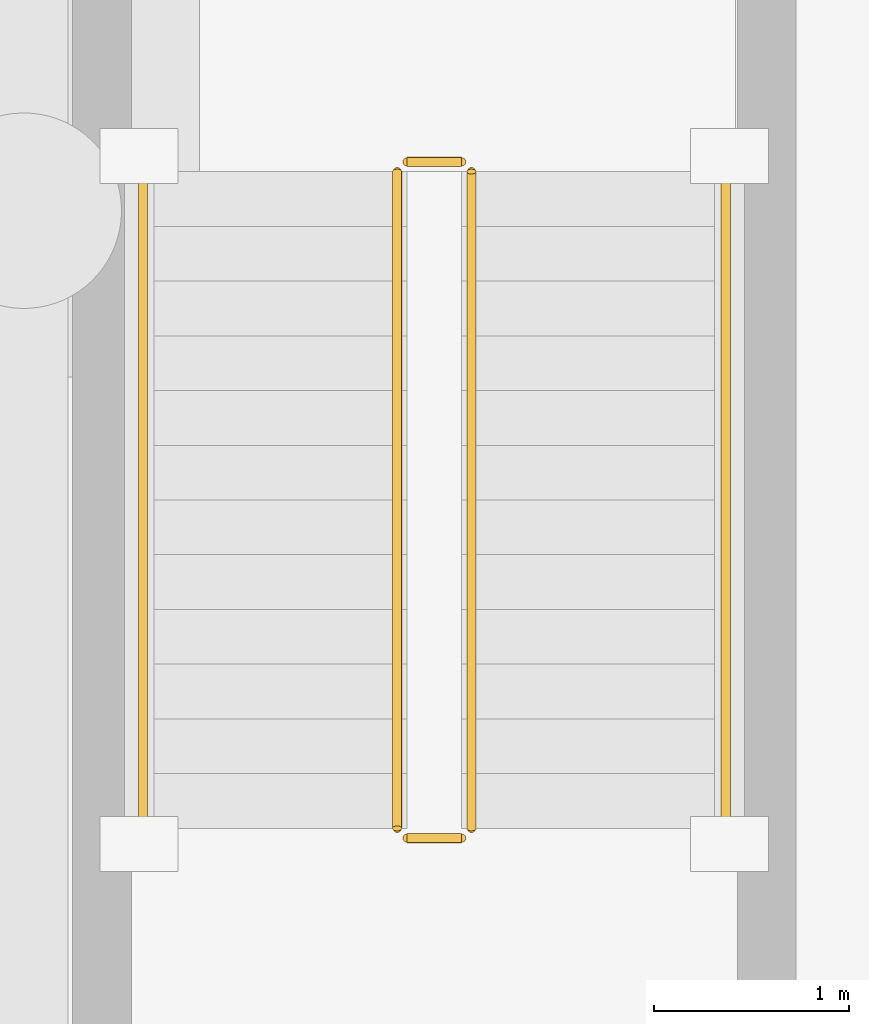
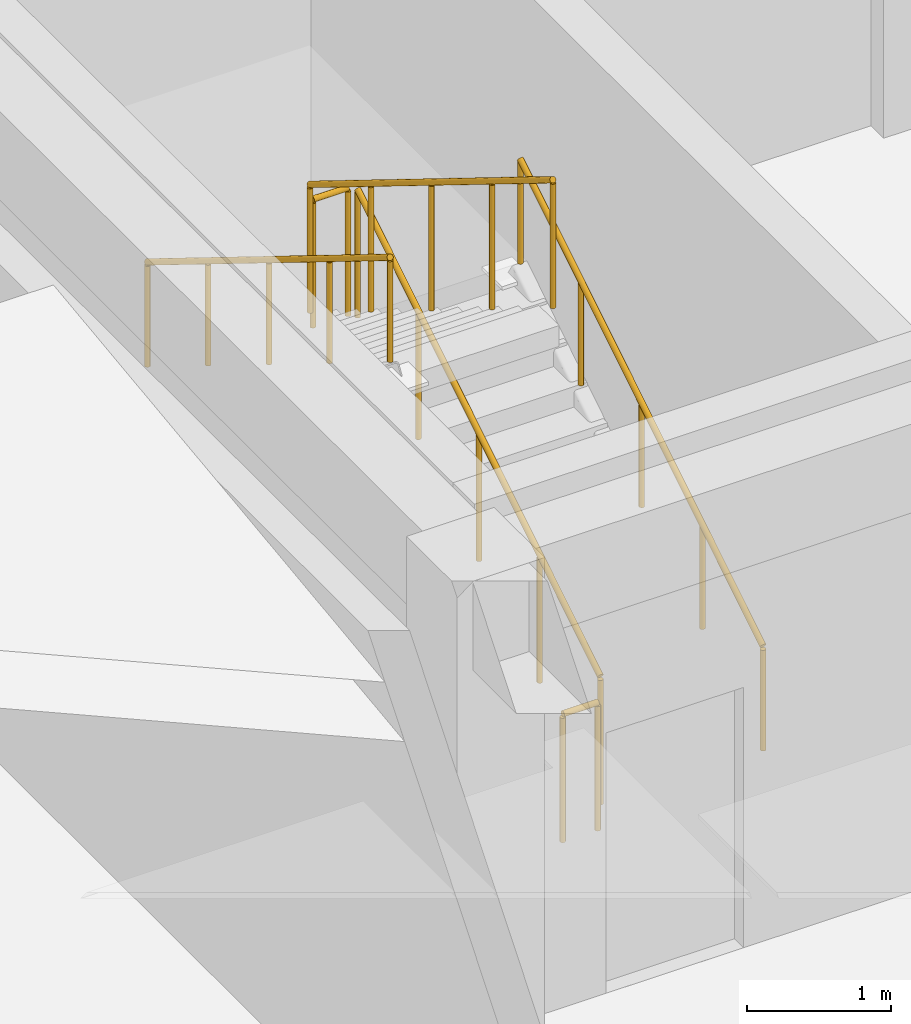
# One storey, part 35 of 41: 6 railings.
"""IFC4 building model written with IfcOpenShell, lengths in metres."""

from ifc_helpers import new_model, si_unit, direction, frame, origin, origin_2d, place, context, subcontext, project, spatial, circle, extrude, material, type_object, element, save


model = new_model("IFC4")

# Units and contexts
model_context = context("Model", 3, precision=1e-05, world=origin(), true_north=direction((0.0, 1.0)))
body_context = subcontext(model_context, "Body", "Model", "MODEL_VIEW")
ifc_project = project(units=[si_unit("LENGTHUNIT", "METRE"), si_unit("AREAUNIT", "SQUARE_METRE"), si_unit("VOLUMEUNIT", "CUBIC_METRE"), si_unit("PLANEANGLEUNIT", "RADIAN"), si_unit("MASSUNIT", "GRAM", prefix="KILO")], contexts=[model_context])

# Site, building, storey
site_placement = place(None, origin())
site = spatial("IfcSite", under=ifc_project, at=site_placement, CompositionType="ELEMENT")
building_placement = place(site_placement, origin())
building = spatial("IfcBuilding", under=site, at=building_placement, Name="Kemercrest Conservatory and Botanical Centre", CompositionType="ELEMENT")
storey_placement = place(building_placement, frame((0.0, 0.0, -4.5)))
storey = spatial("IfcBuildingStorey", under=building, at=storey_placement, Name="B1", CompositionType="ELEMENT", Elevation=-4.5)

# Railings
ifc_material_1 = material(Name="Painted galvanized steel tubular stair guardrail", Category="steel")
railing_type_1 = type_object("IfcRailingType", Name="GR-STR110", PredefinedType="GUARDRAIL", material=ifc_material_1)
railing_1_placement = place(storey_placement, frame((18.68994140625, 115.840087890625, 0.173095703125)))
element("IfcRailing", 1, at=railing_1_placement, inside=storey, type_object=railing_type_1, Name="B1 ST-V3A stair guard 1", PredefinedType="GUARDRAIL", context=body_context, shape_type="SweptSolid", body=[
    extrude(circle(Radius=0.02392578125, at=origin_2d()), frame((0.0, 0.0, 1.076171875), z_axis=(0.0, 0.850606129759, 0.525803396734), x_axis=(-1.0, 0.0, 0.0)), (0.0, 0.0, 1.0), 3.949951171875),
    extrude(circle(Radius=0.02099609375, at=origin_2d()), origin(), (0.0, 0.0, 1.0), 1.052001953125),
    extrude(circle(Radius=0.02099609375, at=origin_2d()), frame((0.0, 0.83984375, 0.519287109375)), (0.0, 0.0, 1.0), 1.052001953125),
    extrude(circle(Radius=0.02099609375, at=origin_2d()), frame((0.0, 1.679931640625, 1.03857421875)), (0.0, 0.0, 1.0), 1.052001953125),
    extrude(circle(Radius=0.02099609375, at=origin_2d()), frame((0.0, 2.52001953125, 1.5576171875)), (0.0, 0.0, 1.0), 1.052001953125),
    extrude(circle(Radius=0.02099609375, at=origin_2d()), frame((0.0, 3.35986328125, 2.076904296875)), (0.0, 0.0, 1.0), 1.052001953125),
])
railing_2_placement = place(storey_placement, frame((18.639892578125, 119.25, 2.25)))
element("IfcRailing", 2, at=railing_2_placement, inside=storey, type_object=railing_type_1, Name="B1 ST-V3A stair guard 2", PredefinedType="GUARDRAIL", context=body_context, shape_type="SweptSolid", body=[
    extrude(circle(Radius=0.02392578125, at=origin_2d()), frame((0.0, 0.0, 1.076171875), z_axis=(-1.0, 0.0, 0.0), x_axis=(0.0, -1.0, 0.0)), (0.0, 0.0, 1.0), 0.27978515625),
    extrude(circle(Radius=0.02099609375, at=origin_2d()), origin(), (0.0, 0.0, 1.0), 1.052001953125),
    extrude(circle(Radius=0.02099609375, at=origin_2d()), frame((-0.27978515625, 0.0, 0.0)), (0.0, 0.0, 1.0), 1.052001953125),
])
railing_3_placement = place(storey_placement, frame((18.31005859375, 119.199951171875, 2.423095703125)))
element("IfcRailing", 3, at=railing_3_placement, inside=storey, type_object=railing_type_1, Name="B1 ST-V3A stair guard 3", PredefinedType="GUARDRAIL", context=body_context, shape_type="SweptSolid", body=[
    extrude(circle(Radius=0.02392578125, at=origin_2d()), frame((0.0, 0.0, 1.076171875), z_axis=(0.0, -0.850606129759, 0.525803396734), x_axis=(1.0, 0.0, 0.0)), (0.0, 0.0, 1.0), 3.949951171875),
    extrude(circle(Radius=0.02099609375, at=origin_2d()), origin(), (0.0, 0.0, 1.0), 1.052001953125),
    extrude(circle(Radius=0.02099609375, at=origin_2d()), frame((0.0, -0.83984375, 0.519287109375)), (0.0, 0.0, 1.0), 1.052001953125),
    extrude(circle(Radius=0.02099609375, at=origin_2d()), frame((0.0, -1.679931640625, 1.03857421875)), (0.0, 0.0, 1.0), 1.052001953125),
    extrude(circle(Radius=0.02099609375, at=origin_2d()), frame((0.0, -2.52001953125, 1.5576171875)), (0.0, 0.0, 1.0), 1.052001953125),
    extrude(circle(Radius=0.02099609375, at=origin_2d()), frame((0.0, -3.35986328125, 2.076904296875)), (0.0, 0.0, 1.0), 1.052001953125),
])
railing_4_placement = place(storey_placement, frame((18.639892578125, 115.7900390625, 0.0)))
element("IfcRailing", 4, at=railing_4_placement, inside=storey, type_object=railing_type_1, Name="B1 ST-V3A stair guard 4", PredefinedType="GUARDRAIL", context=body_context, shape_type="SweptSolid", body=[
    extrude(circle(Radius=0.02392578125, at=origin_2d()), frame((0.0, 0.0, 1.076171875), z_axis=(-1.0, 0.0, 0.0), x_axis=(0.0, -1.0, 0.0)), (0.0, 0.0, 1.0), 0.27978515625),
    extrude(circle(Radius=0.02099609375, at=origin_2d()), origin(), (0.0, 0.0, 1.0), 1.052001953125),
    extrude(circle(Radius=0.02099609375, at=origin_2d()), frame((-0.27978515625, 0.0, 0.0)), (0.0, 0.0, 1.0), 1.052001953125),
])
ifc_material_2 = material(Name="Brushed stainless steel wall-mounted handrail", Category="steel")
railing_type_2 = type_object("IfcRailingType", Name="HR-STR090", PredefinedType="HANDRAIL", material=ifc_material_2)
railing_5_placement = place(storey_placement, frame((19.989990234375, 115.840087890625, 0.173095703125)))
element("IfcRailing", 5, at=railing_5_placement, inside=storey, type_object=railing_type_2, Name="B1 ST-V3A stair handrail 1", PredefinedType="HANDRAIL", context=body_context, shape_type="SweptSolid", body=[
    extrude(circle(Radius=0.02392578125, at=origin_2d()), frame((0.0, 0.0, 0.8759765625), z_axis=(0.0, 0.850606129759, 0.525803396734), x_axis=(-1.0, 0.0, 0.0)), (0.0, 0.0, 1.0), 3.949951171875),
    extrude(circle(Radius=0.02099609375, at=origin_2d()), origin(), (0.0, 0.0, 1.0), 0.851806640625),
    extrude(circle(Radius=0.02099609375, at=origin_2d()), frame((0.0, 0.83984375, 0.519287109375)), (0.0, 0.0, 1.0), 0.851806640625),
    extrude(circle(Radius=0.02099609375, at=origin_2d()), frame((0.0, 1.679931640625, 1.03857421875)), (0.0, 0.0, 1.0), 0.851806640625),
    extrude(circle(Radius=0.02099609375, at=origin_2d()), frame((0.0, 2.52001953125, 1.5576171875)), (0.0, 0.0, 1.0), 0.851806640625),
    extrude(circle(Radius=0.02099609375, at=origin_2d()), frame((0.0, 3.35986328125, 2.076904296875)), (0.0, 0.0, 1.0), 0.851806640625),
])
railing_6_placement = place(storey_placement, frame((17.010009765625, 119.199951171875, 2.423095703125)))
element("IfcRailing", 6, at=railing_6_placement, inside=storey, type_object=railing_type_2, Name="B1 ST-V3A stair handrail 2", PredefinedType="HANDRAIL", context=body_context, shape_type="SweptSolid", body=[
    extrude(circle(Radius=0.02392578125, at=origin_2d()), frame((0.0, 0.0, 0.8759765625), z_axis=(0.0, -0.850606129759, 0.525803396734), x_axis=(1.0, 0.0, 0.0)), (0.0, 0.0, 1.0), 3.949951171875),
    extrude(circle(Radius=0.02099609375, at=origin_2d()), origin(), (0.0, 0.0, 1.0), 0.851806640625),
    extrude(circle(Radius=0.02099609375, at=origin_2d()), frame((0.0, -0.83984375, 0.519287109375)), (0.0, 0.0, 1.0), 0.851806640625),
    extrude(circle(Radius=0.02099609375, at=origin_2d()), frame((0.0, -1.679931640625, 1.03857421875)), (0.0, 0.0, 1.0), 0.851806640625),
    extrude(circle(Radius=0.02099609375, at=origin_2d()), frame((0.0, -2.52001953125, 1.5576171875)), (0.0, 0.0, 1.0), 0.851806640625),
    extrude(circle(Radius=0.02099609375, at=origin_2d()), frame((0.0, -3.35986328125, 2.076904296875)), (0.0, 0.0, 1.0), 0.851806640625),
])

save(model, "model.ifc")
